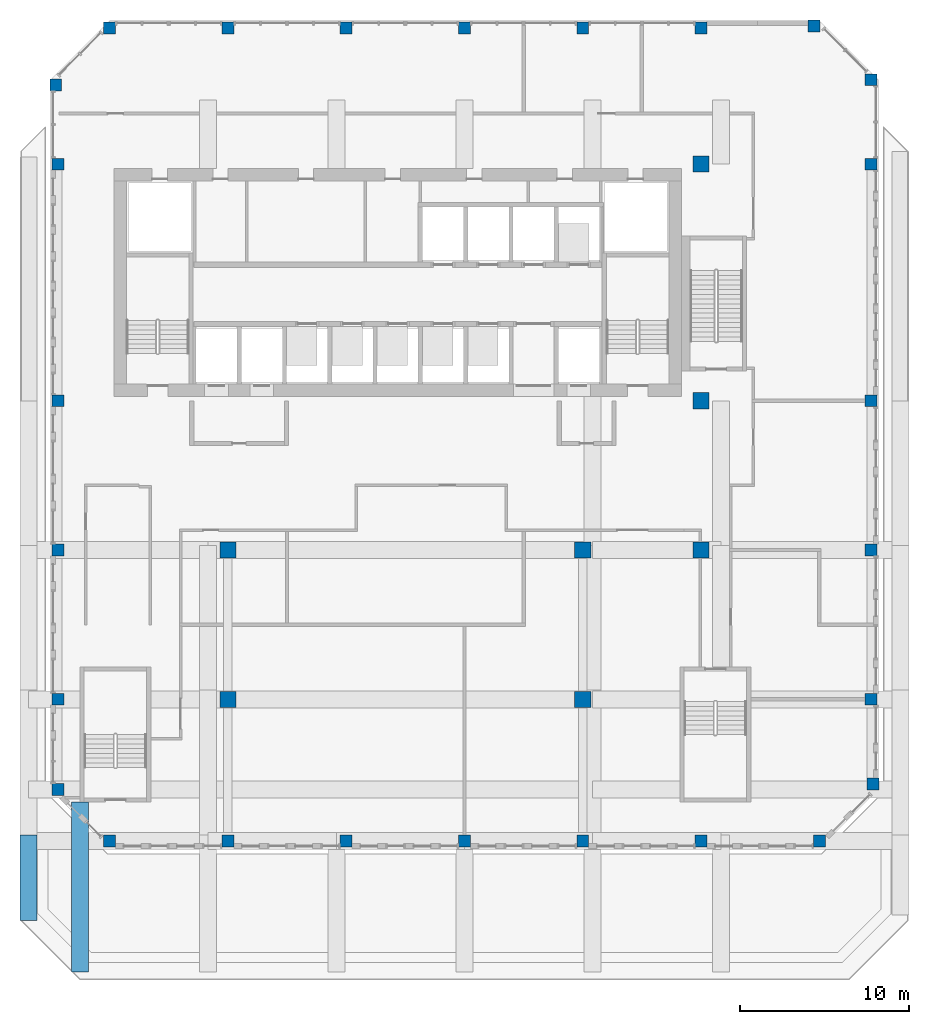
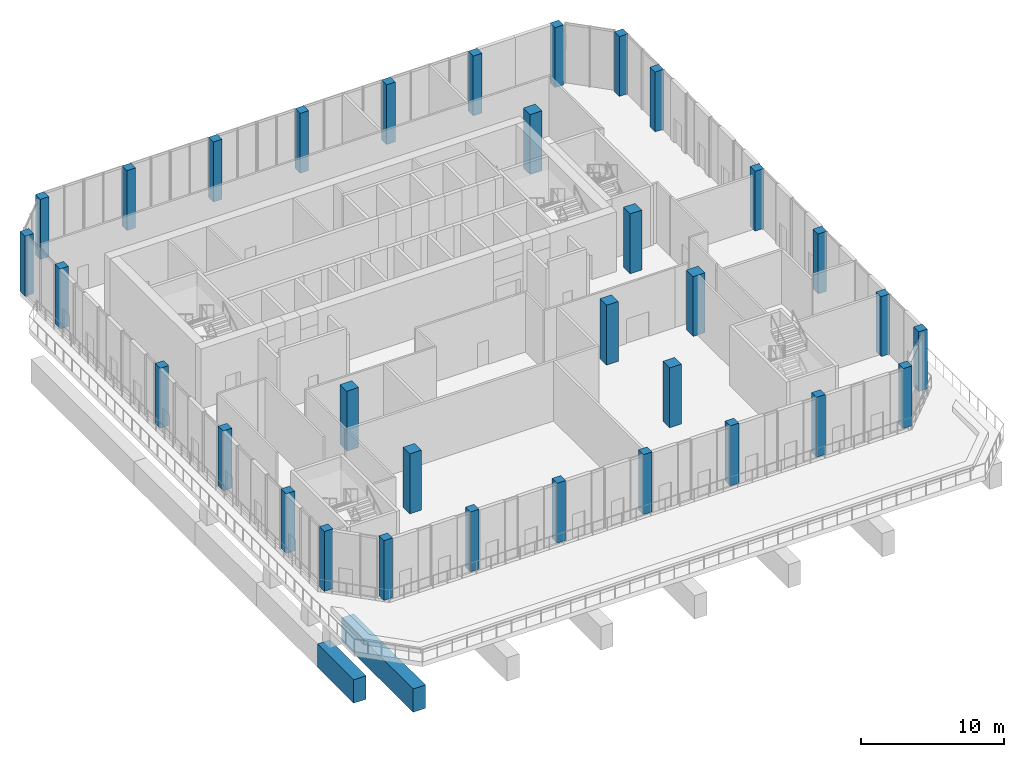
# One storey, part 1 of 18: 33 columns, 2 beams.
"""IFC4 building model written with IfcOpenShell, lengths in metres."""

import ifcopenshell
import ifcopenshell.guid

model = None  # the IFC model being written
_history = None  # IfcOwnerHistory: only IFC2X3 demands one
_inside = {}  # id of a spatial element -> (the spatial element, [elements in it])
_under = {}  # id of a project, library or spatial element -> (it, [spatial elements below it])
_declared = {}  # id of a project -> (the project, [libraries it declares])
_typed = {}  # id of a type object -> (the type object, [elements of that type])
_made_of = {}  # id of a material, layer set ... -> (it, [elements and type objects made of it])


def new_model(schema):
    """Start an empty IFC model of exactly this schema.

    Asked for "IFC4X3", IfcOpenShell would pick the latest addendum, in which some entities
    have other attributes; the version numbers below select the first issue.
    IFC2X3 requires an IfcOwnerHistory on every rooted entity: one is made here for all.
    """
    global model, _history
    if schema == "IFC4X3":
        model = ifcopenshell.file(schema_version=(4, 3, 0, 0))
    else:
        model = ifcopenshell.file(schema=schema)
    _inside.clear()
    _under.clear()
    _declared.clear()
    _typed.clear()
    _made_of.clear()
    _history = None
    if model.schema == "IFC2X3":
        org = make("IfcOrganization", Name="unknown")
        user = make(
            "IfcPersonAndOrganization",
            ThePerson=make("IfcPerson", FamilyName="unknown"),
            TheOrganization=org,
        )
        app = make(
            "IfcApplication",
            ApplicationDeveloper=org,
            Version="unknown",
            ApplicationFullName="unknown",
            ApplicationIdentifier="unknown",
        )
        _history = make(
            "IfcOwnerHistory",
            OwningUser=user,
            OwningApplication=app,
            ChangeAction="ADDED",
            CreationDate=0,
        )
    return model


def make(cls, **values):
    """One entity of the class cls with the attributes given. An attribute that is None is left unset."""
    return model.create_entity(
        cls, **{name: value for name, value in values.items() if value is not None}
    )


def rooted(cls, **values):
    """An entity with a GlobalId (a new one), such as an element, a storey or a relation."""
    return make(cls, GlobalId=ifcopenshell.guid.new(), OwnerHistory=_history, **values)


def si_unit(unit_type, name, prefix=None):
    """IfcSIUnit, for example si_unit("LENGTHUNIT", "METRE", prefix="MILLI")."""
    return make("IfcSIUnit", UnitType=unit_type, Prefix=prefix, Name=name)


def assignment(units):
    """IfcUnitAssignment: the units of a project."""
    return None if units is None else make("IfcUnitAssignment", Units=units)


def point(xyz):
    """IfcCartesianPoint."""
    return None if xyz is None else make("IfcCartesianPoint", Coordinates=xyz)


def direction(xyz):
    """IfcDirection."""
    return None if xyz is None else make("IfcDirection", DirectionRatios=xyz)


def frame(location, z_axis=None, x_axis=None):
    """IfcAxis2Placement3D, a coordinate frame: its origin and axes. An axis left out is left unset."""
    return make(
        "IfcAxis2Placement3D",
        Location=point(location),
        Axis=direction(z_axis),
        RefDirection=direction(x_axis),
    )


def frame_2d(location, x_axis=None):
    """IfcAxis2Placement2D, a coordinate frame in the plane: its origin and x axis."""
    return make(
        "IfcAxis2Placement2D", Location=point(location), RefDirection=direction(x_axis)
    )


def origin():
    """The frame at (0, 0, 0) with its axes left unset."""
    return frame((0.0, 0.0, 0.0))


def origin_2d():
    """The frame at (0, 0) in the plane with its x axis left unset."""
    return frame_2d((0.0, 0.0))


def place(relative_to, where):
    """IfcLocalPlacement: puts the frame where relative to a parent placement (None: the world)."""
    return make(
        "IfcLocalPlacement", PlacementRelTo=relative_to, RelativePlacement=where
    )


def context(
    kind, dimensions, precision=None, world=None, true_north=None, identifier=None
):
    """IfcGeometricRepresentationContext, for example the 3D "Model" context."""
    return make(
        "IfcGeometricRepresentationContext",
        ContextIdentifier=identifier,
        ContextType=kind,
        CoordinateSpaceDimension=dimensions,
        Precision=precision,
        WorldCoordinateSystem=world,
        TrueNorth=true_north,
    )


def subcontext(parent, identifier, kind, view, scale=None):
    """IfcGeometricRepresentationSubContext, for example "Body" below "Model"."""
    return make(
        "IfcGeometricRepresentationSubContext",
        ContextIdentifier=identifier,
        ContextType=kind,
        ParentContext=parent,
        TargetScale=scale,
        TargetView=view,
    )


def project(units=None, contexts=None):
    """IfcProject with its units and contexts."""
    return rooted(
        "IfcProject",
        Name="project",
        RepresentationContexts=contexts,
        UnitsInContext=assignment(units),
    )


def spatial(cls, under=None, at=None, **own):
    """A site, building, storey or space (cls), placed at a placement, below another one or the project."""
    s = rooted(cls, ObjectPlacement=at, **own)
    if under is not None:
        _under.setdefault(under.id(), (under, []))[1].append(s)
    return s


def profile(cls, at=None, kind="AREA", **sizes):
    """A parametric profile (cls). Its sizes go by their IFC names, for example OverallWidth=200.0."""
    return make(cls, ProfileType=kind, Position=at, **sizes)


def rectangle(**sizes):
    """IfcRectangleProfileDef."""
    return profile("IfcRectangleProfileDef", **sizes)


def extrude(swept, where, along, depth):
    """IfcExtrudedAreaSolid: the profile swept, set in the frame where, extruded along a direction by depth."""
    return make(
        "IfcExtrudedAreaSolid",
        SweptArea=swept,
        Position=where,
        ExtrudedDirection=direction(along),
        Depth=depth,
    )


def shape(context_of_items, identifier, shape_type, items):
    """IfcShapeRepresentation: the items that make up one representation, for example the "Body"."""
    return make(
        "IfcShapeRepresentation",
        ContextOfItems=context_of_items,
        RepresentationIdentifier=identifier,
        RepresentationType=shape_type,
        Items=items,
    )


def source(mapping_origin, context_of_items, identifier, shape_type, items):
    """IfcRepresentationMap: a shape defined once, which mapped items show again and again."""
    return make(
        "IfcRepresentationMap",
        MappingOrigin=mapping_origin,
        MappedRepresentation=shape(context_of_items, identifier, shape_type, items),
    )


def transform(
    local_origin,
    x_axis=None,
    y_axis=None,
    z_axis=None,
    scale=None,
    scale2=None,
    scale3=None,
    uniform=True,
):
    """IfcCartesianTransformationOperator3D, or its non-uniform kind. x_axis, y_axis, z_axis: its Axis1, 2, 3."""
    if uniform:
        return make(
            "IfcCartesianTransformationOperator3D",
            Axis1=direction(x_axis),
            Axis2=direction(y_axis),
            LocalOrigin=point(local_origin),
            Scale=scale,
            Axis3=direction(z_axis),
        )
    return make(
        "IfcCartesianTransformationOperator3DnonUniform",
        Axis1=direction(x_axis),
        Axis2=direction(y_axis),
        LocalOrigin=point(local_origin),
        Scale=scale,
        Axis3=direction(z_axis),
        Scale2=scale2,
        Scale3=scale3,
    )


def mapped(mapping_source, mapping_target):
    """IfcMappedItem: shows the shape of a source again, moved by a transform."""
    return make(
        "IfcMappedItem", MappingSource=mapping_source, MappingTarget=mapping_target
    )


def material(Name=None, Category=None):
    """IfcMaterial."""
    return make("IfcMaterial", Name=Name, Category=Category)


def material_profile(
    of_material, cross_section, Name=None, Category=None, Priority=None
):
    """IfcMaterialProfile: a cross section and its material."""
    return make(
        "IfcMaterialProfile",
        Name=Name,
        Material=of_material,
        Profile=cross_section,
        Priority=Priority,
        Category=Category,
    )


def profile_set(profiles, Name=None, composite=None):
    """IfcMaterialProfileSet."""
    return make(
        "IfcMaterialProfileSet",
        Name=Name,
        MaterialProfiles=profiles,
        CompositeProfile=composite,
    )


def made_of(thing, what):
    """Note that an element or type object is made of a material, layer set ...; save() writes the relation."""
    if what is not None:
        _made_of.setdefault(what.id(), (what, []))[1].append(thing)
    return thing


def type_object(cls, material=None, **own):
    """A type object (cls), such as IfcWallType, which elements share."""
    return made_of(rooted(cls, **own), material)


def element(
    cls,
    number,
    at=None,
    inside=None,
    cuts=None,
    type_object=None,
    material=None,
    context=None,
    identifier="Body",
    shape_type=None,
    held_by="IfcProductDefinitionShape",
    body=None,
    shapes=None,
    **own,
):
    """One element of the class cls, such as IfcWall. Its Tag is "e" and its number.

    at: its placement. inside: the storey or other place that contains it. cuts: it is an
    opening in that element (IfcRelVoidsElement). A single representation is given by context,
    identifier, shape_type and body (its items); several are given by shapes. held_by: the class
    of the entity that holds the representations. save() writes the other relations.
    """
    e = rooted(cls, Tag="e%d" % number, ObjectPlacement=at, **own)
    if body is not None:
        shapes = [shape(context, identifier, shape_type, body)]
    if shapes is not None:
        e.Representation = make(held_by, Representations=shapes)
    if inside is not None:
        _inside.setdefault(inside.id(), (inside, []))[1].append(e)
    if cuts is not None:
        rooted(
            "IfcRelVoidsElement", RelatingBuildingElement=cuts, RelatedOpeningElement=e
        )
    if type_object is not None:
        _typed.setdefault(type_object.id(), (type_object, []))[1].append(e)
    return made_of(e, material)


def aggregate(whole, parts):
    """IfcRelAggregates: a whole, such as a stair, and the parts it consists of."""
    return rooted("IfcRelAggregates", RelatingObject=whole, RelatedObjects=parts)


def save(model, path):
    """Write the relations noted so far, then the file.

    IfcRelAggregates (storeys below a building ...), IfcRelContainedInSpatialStructure (elements
    in a storey), IfcRelDefinesByType, IfcRelAssociatesMaterial and IfcRelDeclares: one each for
    every whole, place, type object, material and project.
    """
    for whole, parts in _under.values():
        aggregate(whole, parts)
    for where, things in _inside.values():
        rooted(
            "IfcRelContainedInSpatialStructure",
            RelatedElements=things,
            RelatingStructure=where,
        )
    for kind, things in _typed.values():
        rooted("IfcRelDefinesByType", RelatedObjects=things, RelatingType=kind)
    for what, things in _made_of.values():
        rooted("IfcRelAssociatesMaterial", RelatedObjects=things, RelatingMaterial=what)
    for by, libraries in _declared.values():
        rooted("IfcRelDeclares", RelatingContext=by, RelatedDefinitions=libraries)
    model.write(path)


model = new_model("IFC4")

# Units and contexts
model_context = context("Model", 3, precision=1e-05, world=origin(), true_north=direction((0.0, 1.0)))
body_context = subcontext(model_context, "Body", "Model", "MODEL_VIEW")
ifc_project = project(units=[si_unit("LENGTHUNIT", "METRE"), si_unit("AREAUNIT", "SQUARE_METRE"), si_unit("VOLUMEUNIT", "CUBIC_METRE"), si_unit("PLANEANGLEUNIT", "RADIAN"), si_unit("MASSUNIT", "GRAM", prefix="KILO")], contexts=[model_context])

# Site, building, storey
site_placement = place(None, origin())
site = spatial("IfcSite", under=ifc_project, at=site_placement, CompositionType="ELEMENT")
building_placement = place(site_placement, origin())
building = spatial("IfcBuilding", under=site, at=building_placement, Name="Kilnfold Tower and Market Hall", CompositionType="ELEMENT")
storey_placement = place(building_placement, frame((0.0, 0.0, 233.60009765625)))
storey = spatial("IfcBuildingStorey", under=building, at=storey_placement, Name="L56", CompositionType="ELEMENT", Elevation=233.60009765625)

# Columns
ifc_material_1 = material(Name="Concrete C60", Category="concrete")
ifc_material_profile_1 = material_profile(ifc_material_1, rectangle(XDim=0.699951171875, YDim=0.699951171875, at=origin_2d()), Name="RC 700x700")
ifc_profile_set_1 = profile_set([ifc_material_profile_1], Name="Concrete C60")
column_type_1 = type_object("IfcColumnType", Name="COLUMN 700X700 C60", PredefinedType="COLUMN", material=ifc_profile_set_1)
shared_shape_1 = source(origin(), body_context, "Body", "SweptSolid", [
    extrude(rectangle(XDim=0.699951171875, YDim=0.699951171875, at=origin_2d()), origin(), (0.0, 0.0, 1.0), 5.119873046875),
])
for number, where, z_axis, x_axis, name in (
    (1, (-19.181884765625, 26.681884765625, 0.0), (0.0, 0.0, 1.0), (1.0, 0.0, 0.0), "Column C-B7-1G"),
    (2, (-19.050048828125, -15.0, 0.0), (0.0, 0.0, 1.0), (1.0, 0.0, 0.0), "Column C-B7-1B"),
    (3, (-19.050048828125, -9.666748046875, 0.0), (0.0, 0.0, 1.0), (1.0, 0.0, 0.0), "Column C-B7-1C"),
    (4, (-19.050048828125, -0.833251953125, 0.0), (0.0, 0.0, 1.0), (1.0, 0.0, 0.0), "Column C-B7-1D"),
    (5, (-19.050048828125, 8.0, 0.0), (0.0, 0.0, 1.0), (1.0, 0.0, 0.0), "Column C-B7-1E"),
    (6, (-19.050048828125, 22.0, 0.0), (0.0, 0.0, 1.0), (1.0, 0.0, 0.0), "Column C-B7-1F"),
    (7, (-16.0, -18.050048828125, 0.0), (0.0, 0.0, 1.0), (1.0, 0.0, 0.0), "Column C-B7-2A"),
    (8, (-16.0, 30.050048828125, 0.0), (0.0, 0.0, 1.0), (1.0, 0.0, 0.0), "Column C-B7-2H"),
    (9, (-9.0, -18.050048828125, 0.0), (0.0, 0.0, 1.0), (1.0, 0.0, 0.0), "Column C-B7-3A"),
    (10, (-9.0, 30.050048828125, 0.0), (0.0, 0.0, 1.0), (1.0, 0.0, 0.0), "Column C-B7-3H"),
    (11, (-2.0, -18.050048828125, 0.0), (0.0, 0.0, 1.0), (1.0, 0.0, 0.0), "Column C-B7-4A"),
    (12, (-2.0, 30.050048828125, 0.0), (0.0, 0.0, 1.0), (1.0, 0.0, 0.0), "Column C-B7-4H"),
    (13, (5.0, -18.050048828125, 0.0), (0.0, 0.0, 1.0), (1.0, 0.0, 0.0), "Column C-B7-5A"),
    (14, (5.0, 30.050048828125, 0.0), (0.0, 0.0, 1.0), (1.0, 0.0, 0.0), "Column C-B7-5H"),
    (15, (12.0, -18.050048828125, 0.0), (0.0, 0.0, 1.0), (1.0, 0.0, 0.0), "Column C-B7-6A"),
    (16, (12.0, 30.050048828125, 0.0), (0.0, 0.0, 1.0), (1.0, 0.0, 0.0), "Column C-B7-6H"),
    (17, (19.0, -18.050048828125, 0.0), (0.0, 0.0, 1.0), (1.0, 0.0, 0.0), "Column C-B7-7A"),
    (18, (19.0, 30.050048828125, 0.0), (0.0, 0.0, 1.0), (1.0, 0.0, 0.0), "Column C-B7-7H"),
    (19, (25.681884765625, 30.181884765625, 0.0), (0.0, 0.0, 1.0), (1.0, 0.0, 0.0), "Column C-B7-8H"),
    (20, (26.0, -18.050048828125, 0.0), (0.0, 0.0, 1.0), (1.0, 0.0, 0.0), "Column C-B7-8A"),
    (21, (29.050048828125, -9.666748046875, 0.0), (0.0, 0.0, 1.0), (1.0, 0.0, 0.0), "Column C-B7-9C"),
    (22, (29.050048828125, -0.833251953125, 0.0), (0.0, 0.0, 1.0), (1.0, 0.0, 0.0), "Column C-B7-9D"),
    (23, (29.050048828125, 8.0, 0.0), (0.0, 0.0, 1.0), (1.0, 0.0, 0.0), "Column C-B7-9E"),
    (24, (29.050048828125, 22.0, 0.0), (0.0, 0.0, 1.0), (1.0, 0.0, 0.0), "Column C-B7-9F"),
    (25, (29.050048828125, 27.0, 0.0), (0.0, 0.0, 1.0), (1.0, 0.0, 0.0), "Column C-B7-9G"),
    (26, (29.181884765625, -14.681884765625, 0.0), (0.0, 0.0, 1.0), (1.0, 0.0, 0.0), "Column C-B7-9B"),
):
    element("IfcColumn", number, at=place(storey_placement, frame(where, z_axis=z_axis, x_axis=x_axis)), inside=storey, type_object=column_type_1, Name=name, PredefinedType="COLUMN", context=body_context, shape_type="MappedRepresentation", body=[
        mapped(shared_shape_1, transform((0.0, 0.0, 0.0))),
    ])
ifc_material_2 = material(Name="Concrete C60", Category="concrete")
ifc_material_profile_2 = material_profile(ifc_material_2, rectangle(XDim=0.949951171875, YDim=0.949951171875, at=origin_2d()), Name="RC 950x950")
ifc_profile_set_2 = profile_set([ifc_material_profile_2], Name="Concrete C60")
column_type_2 = type_object("IfcColumnType", Name="COLUMN 950X950 C60", PredefinedType="COLUMN", material=ifc_profile_set_2)
shared_shape_2 = source(origin(), body_context, "Body", "SweptSolid", [
    extrude(rectangle(XDim=0.949951171875, YDim=0.949951171875, at=origin_2d()), origin(), (0.0, 0.0, 1.0), 5.119873046875),
])
for number, where, z_axis, x_axis, name in (
    (27, (-9.0, -9.666748046875, 0.0), (0.0, 0.0, 1.0), (1.0, 0.0, 0.0), "Column C-B7-3C"),
    (28, (-9.0, -0.833251953125, 0.0), (0.0, 0.0, 1.0), (1.0, 0.0, 0.0), "Column C-B7-3D"),
    (29, (12.0, -9.666748046875, 0.0), (0.0, 0.0, 1.0), (1.0, 0.0, 0.0), "Column C-B7-6C"),
    (30, (12.0, -0.833251953125, 0.0), (0.0, 0.0, 1.0), (1.0, 0.0, 0.0), "Column C-B7-6D"),
    (31, (19.0, -0.833251953125, 0.0), (0.0, 0.0, 1.0), (1.0, 0.0, 0.0), "Column C-B7-7D"),
    (32, (19.0, 8.0, 0.0), (0.0, 0.0, 1.0), (1.0, 0.0, 0.0), "Column C-B7-7E"),
    (33, (19.0, 22.0, 0.0), (0.0, 0.0, 1.0), (1.0, 0.0, 0.0), "Column C-B7-7F"),
):
    element("IfcColumn", number, at=place(storey_placement, frame(where, z_axis=z_axis, x_axis=x_axis)), inside=storey, type_object=column_type_2, Name=name, PredefinedType="COLUMN", context=body_context, shape_type="MappedRepresentation", body=[
        mapped(shared_shape_2, transform((0.0, 0.0, 0.0))),
    ])

# Beams
ifc_material_3 = material(Name="Concrete C60", Category="concrete")
ifc_material_profile_3 = material_profile(ifc_material_3, rectangle(XDim=1.0, YDim=2.0, at=origin_2d()), Name="RC 1000x2000")
ifc_profile_set_3 = profile_set([ifc_material_profile_3], Name="Concrete C60")
beam_type = type_object("IfcBeamType", Name="TRANSFER GIRDER 1000X2000 C60", PredefinedType="BEAM", material=ifc_profile_set_3)
shared_shape_3 = source(origin(), body_context, "Body", "SweptSolid", [
    extrude(rectangle(XDim=1.0, YDim=2.0, at=origin_2d()), origin(), (0.0, 0.0, 1.0), 10.050048828125),
])
beam_1_placement = place(storey_placement, frame((-17.75, -25.800048828125, -3.400146484375), z_axis=(0.0, 1.0, 0.0), x_axis=(-1.0, 0.0, 0.0)))
element("IfcBeam", 34, at=beam_1_placement, inside=storey, type_object=beam_type, Name="Beam TG2000-B7.6", PredefinedType="BEAM", context=body_context, shape_type="MappedRepresentation", body=[
    mapped(shared_shape_3, transform((0.0, 0.0, 0.0))),
])
shared_shape_4 = source(origin(), body_context, "Body", "SweptSolid", [
    extrude(rectangle(XDim=1.0, YDim=2.0, at=origin_2d()), origin(), (0.0, 0.0, 1.0), 5.0625),
])
beam_2_placement = place(storey_placement, frame((-20.800048828125, -22.75, -3.400146484375), z_axis=(0.0, 1.0, 0.0), x_axis=(-1.0, 0.0, 0.0)))
element("IfcBeam", 35, at=beam_2_placement, inside=storey, type_object=beam_type, Name="Beam TG2000-B7.1", PredefinedType="BEAM", context=body_context, shape_type="MappedRepresentation", body=[
    mapped(shared_shape_4, transform((0.0, 0.0, 0.0))),
])

save(model, "model.ifc")
